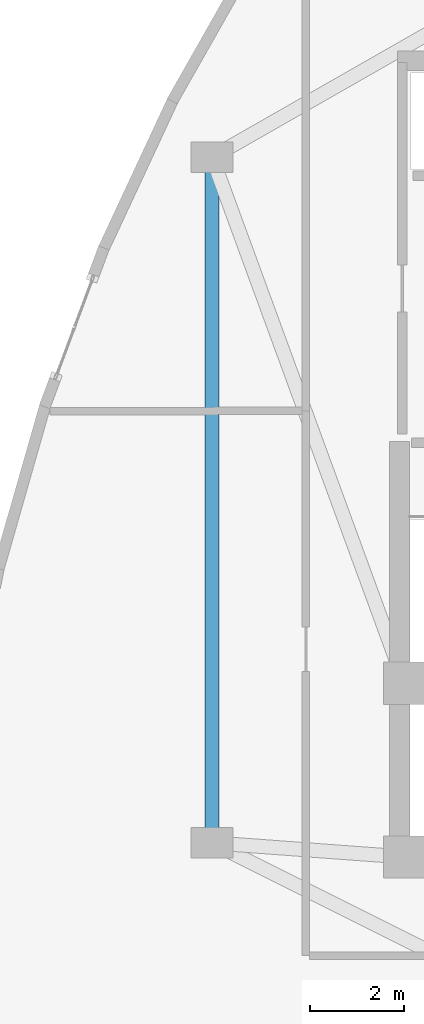
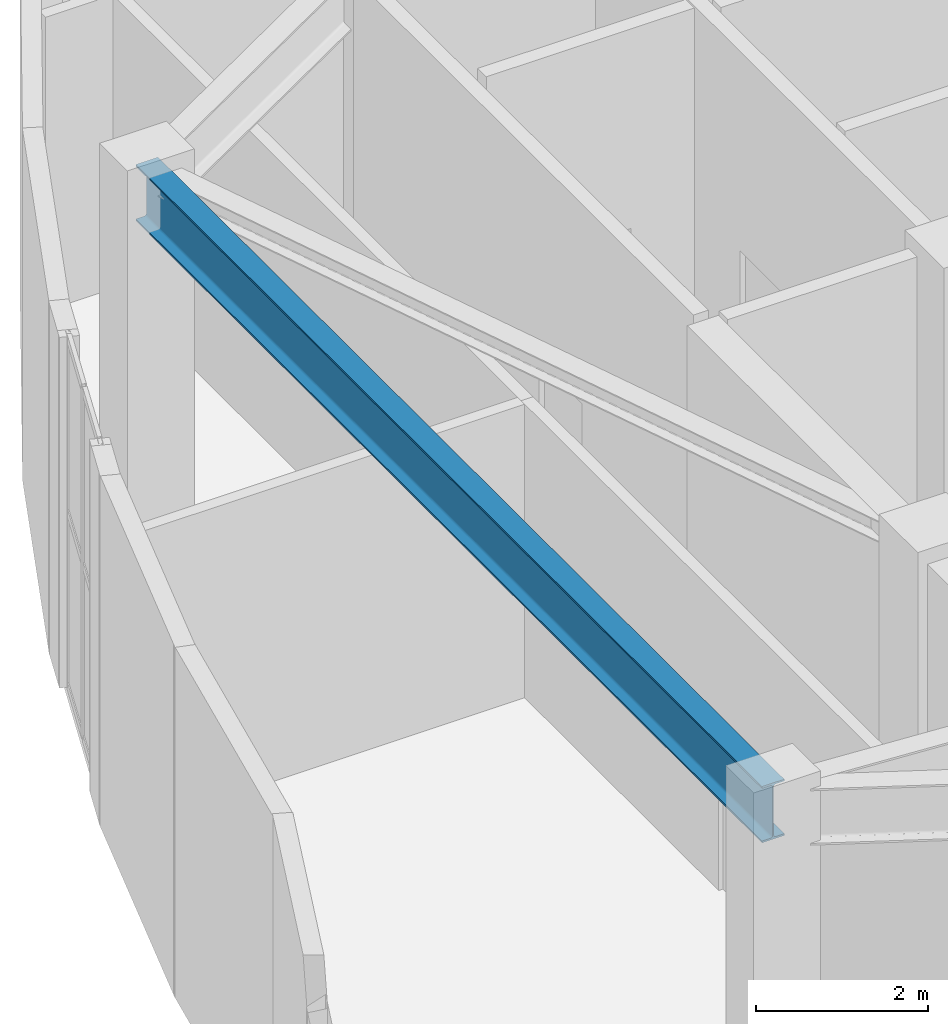
# One storey, part 5 of 12: 1 beam.
"""IFC4 building model written with IfcOpenShell, lengths in metres."""

import ifcopenshell
import ifcopenshell.guid

model = None  # the IFC model being written
_history = None  # IfcOwnerHistory: only IFC2X3 demands one
_inside = {}  # id of a spatial element -> (the spatial element, [elements in it])
_under = {}  # id of a project, library or spatial element -> (it, [spatial elements below it])
_declared = {}  # id of a project -> (the project, [libraries it declares])
_typed = {}  # id of a type object -> (the type object, [elements of that type])
_made_of = {}  # id of a material, layer set ... -> (it, [elements and type objects made of it])


def new_model(schema):
    """Start an empty IFC model of exactly this schema.

    Asked for "IFC4X3", IfcOpenShell would pick the latest addendum, in which some entities
    have other attributes; the version numbers below select the first issue.
    IFC2X3 requires an IfcOwnerHistory on every rooted entity: one is made here for all.
    """
    global model, _history
    if schema == "IFC4X3":
        model = ifcopenshell.file(schema_version=(4, 3, 0, 0))
    else:
        model = ifcopenshell.file(schema=schema)
    _inside.clear()
    _under.clear()
    _declared.clear()
    _typed.clear()
    _made_of.clear()
    _history = None
    if model.schema == "IFC2X3":
        org = make("IfcOrganization", Name="unknown")
        user = make(
            "IfcPersonAndOrganization",
            ThePerson=make("IfcPerson", FamilyName="unknown"),
            TheOrganization=org,
        )
        app = make(
            "IfcApplication",
            ApplicationDeveloper=org,
            Version="unknown",
            ApplicationFullName="unknown",
            ApplicationIdentifier="unknown",
        )
        _history = make(
            "IfcOwnerHistory",
            OwningUser=user,
            OwningApplication=app,
            ChangeAction="ADDED",
            CreationDate=0,
        )
    return model


def make(cls, **values):
    """One entity of the class cls with the attributes given. An attribute that is None is left unset."""
    return model.create_entity(
        cls, **{name: value for name, value in values.items() if value is not None}
    )


def rooted(cls, **values):
    """An entity with a GlobalId (a new one), such as an element, a storey or a relation."""
    return make(cls, GlobalId=ifcopenshell.guid.new(), OwnerHistory=_history, **values)


def si_unit(unit_type, name, prefix=None):
    """IfcSIUnit, for example si_unit("LENGTHUNIT", "METRE", prefix="MILLI")."""
    return make("IfcSIUnit", UnitType=unit_type, Prefix=prefix, Name=name)


def assignment(units):
    """IfcUnitAssignment: the units of a project."""
    return None if units is None else make("IfcUnitAssignment", Units=units)


def point(xyz):
    """IfcCartesianPoint."""
    return None if xyz is None else make("IfcCartesianPoint", Coordinates=xyz)


def direction(xyz):
    """IfcDirection."""
    return None if xyz is None else make("IfcDirection", DirectionRatios=xyz)


def frame(location, z_axis=None, x_axis=None):
    """IfcAxis2Placement3D, a coordinate frame: its origin and axes. An axis left out is left unset."""
    return make(
        "IfcAxis2Placement3D",
        Location=point(location),
        Axis=direction(z_axis),
        RefDirection=direction(x_axis),
    )


def frame_2d(location, x_axis=None):
    """IfcAxis2Placement2D, a coordinate frame in the plane: its origin and x axis."""
    return make(
        "IfcAxis2Placement2D", Location=point(location), RefDirection=direction(x_axis)
    )


def origin():
    """The frame at (0, 0, 0) with its axes left unset."""
    return frame((0.0, 0.0, 0.0))


def origin_2d():
    """The frame at (0, 0) in the plane with its x axis left unset."""
    return frame_2d((0.0, 0.0))


def place(relative_to, where):
    """IfcLocalPlacement: puts the frame where relative to a parent placement (None: the world)."""
    return make(
        "IfcLocalPlacement", PlacementRelTo=relative_to, RelativePlacement=where
    )


def context(
    kind, dimensions, precision=None, world=None, true_north=None, identifier=None
):
    """IfcGeometricRepresentationContext, for example the 3D "Model" context."""
    return make(
        "IfcGeometricRepresentationContext",
        ContextIdentifier=identifier,
        ContextType=kind,
        CoordinateSpaceDimension=dimensions,
        Precision=precision,
        WorldCoordinateSystem=world,
        TrueNorth=true_north,
    )


def subcontext(parent, identifier, kind, view, scale=None):
    """IfcGeometricRepresentationSubContext, for example "Body" below "Model"."""
    return make(
        "IfcGeometricRepresentationSubContext",
        ContextIdentifier=identifier,
        ContextType=kind,
        ParentContext=parent,
        TargetScale=scale,
        TargetView=view,
    )


def project(units=None, contexts=None):
    """IfcProject with its units and contexts."""
    return rooted(
        "IfcProject",
        Name="project",
        RepresentationContexts=contexts,
        UnitsInContext=assignment(units),
    )


def spatial(cls, under=None, at=None, **own):
    """A site, building, storey or space (cls), placed at a placement, below another one or the project."""
    s = rooted(cls, ObjectPlacement=at, **own)
    if under is not None:
        _under.setdefault(under.id(), (under, []))[1].append(s)
    return s


def profile(cls, at=None, kind="AREA", **sizes):
    """A parametric profile (cls). Its sizes go by their IFC names, for example OverallWidth=200.0."""
    return make(cls, ProfileType=kind, Position=at, **sizes)


def i_section(**sizes):
    """IfcIShapeProfileDef."""
    return profile("IfcIShapeProfileDef", **sizes)


def extrude(swept, where, along, depth):
    """IfcExtrudedAreaSolid: the profile swept, set in the frame where, extruded along a direction by depth."""
    return make(
        "IfcExtrudedAreaSolid",
        SweptArea=swept,
        Position=where,
        ExtrudedDirection=direction(along),
        Depth=depth,
    )


def shape(context_of_items, identifier, shape_type, items):
    """IfcShapeRepresentation: the items that make up one representation, for example the "Body"."""
    return make(
        "IfcShapeRepresentation",
        ContextOfItems=context_of_items,
        RepresentationIdentifier=identifier,
        RepresentationType=shape_type,
        Items=items,
    )


def material(Name=None, Category=None):
    """IfcMaterial."""
    return make("IfcMaterial", Name=Name, Category=Category)


def material_profile(
    of_material, cross_section, Name=None, Category=None, Priority=None
):
    """IfcMaterialProfile: a cross section and its material."""
    return make(
        "IfcMaterialProfile",
        Name=Name,
        Material=of_material,
        Profile=cross_section,
        Priority=Priority,
        Category=Category,
    )


def profile_set(profiles, Name=None, composite=None):
    """IfcMaterialProfileSet."""
    return make(
        "IfcMaterialProfileSet",
        Name=Name,
        MaterialProfiles=profiles,
        CompositeProfile=composite,
    )


def made_of(thing, what):
    """Note that an element or type object is made of a material, layer set ...; save() writes the relation."""
    if what is not None:
        _made_of.setdefault(what.id(), (what, []))[1].append(thing)
    return thing


def type_object(cls, material=None, **own):
    """A type object (cls), such as IfcWallType, which elements share."""
    return made_of(rooted(cls, **own), material)


def element(
    cls,
    number,
    at=None,
    inside=None,
    cuts=None,
    type_object=None,
    material=None,
    context=None,
    identifier="Body",
    shape_type=None,
    held_by="IfcProductDefinitionShape",
    body=None,
    shapes=None,
    **own,
):
    """One element of the class cls, such as IfcWall. Its Tag is "e" and its number.

    at: its placement. inside: the storey or other place that contains it. cuts: it is an
    opening in that element (IfcRelVoidsElement). A single representation is given by context,
    identifier, shape_type and body (its items); several are given by shapes. held_by: the class
    of the entity that holds the representations. save() writes the other relations.
    """
    e = rooted(cls, Tag="e%d" % number, ObjectPlacement=at, **own)
    if body is not None:
        shapes = [shape(context, identifier, shape_type, body)]
    if shapes is not None:
        e.Representation = make(held_by, Representations=shapes)
    if inside is not None:
        _inside.setdefault(inside.id(), (inside, []))[1].append(e)
    if cuts is not None:
        rooted(
            "IfcRelVoidsElement", RelatingBuildingElement=cuts, RelatedOpeningElement=e
        )
    if type_object is not None:
        _typed.setdefault(type_object.id(), (type_object, []))[1].append(e)
    return made_of(e, material)


def aggregate(whole, parts):
    """IfcRelAggregates: a whole, such as a stair, and the parts it consists of."""
    return rooted("IfcRelAggregates", RelatingObject=whole, RelatedObjects=parts)


def save(model, path):
    """Write the relations noted so far, then the file.

    IfcRelAggregates (storeys below a building ...), IfcRelContainedInSpatialStructure (elements
    in a storey), IfcRelDefinesByType, IfcRelAssociatesMaterial and IfcRelDeclares: one each for
    every whole, place, type object, material and project.
    """
    for whole, parts in _under.values():
        aggregate(whole, parts)
    for where, things in _inside.values():
        rooted(
            "IfcRelContainedInSpatialStructure",
            RelatedElements=things,
            RelatingStructure=where,
        )
    for kind, things in _typed.values():
        rooted("IfcRelDefinesByType", RelatedObjects=things, RelatingType=kind)
    for what, things in _made_of.values():
        rooted("IfcRelAssociatesMaterial", RelatedObjects=things, RelatingMaterial=what)
    for by, libraries in _declared.values():
        rooted("IfcRelDeclares", RelatingContext=by, RelatedDefinitions=libraries)
    model.write(path)


model = new_model("IFC4")

# Units and contexts
model_context = context("Model", 3, precision=1e-05, world=origin(), true_north=direction((0.0, 1.0)))
body_context = subcontext(model_context, "Body", "Model", "MODEL_VIEW")
ifc_project = project(units=[si_unit("LENGTHUNIT", "METRE"), si_unit("AREAUNIT", "SQUARE_METRE"), si_unit("VOLUMEUNIT", "CUBIC_METRE"), si_unit("PLANEANGLEUNIT", "RADIAN"), si_unit("MASSUNIT", "GRAM", prefix="KILO")], contexts=[model_context])

# Site, building, storey
site_placement = place(None, origin())
site = spatial("IfcSite", under=ifc_project, at=site_placement, CompositionType="ELEMENT")
building_placement = place(site_placement, origin())
building = spatial("IfcBuilding", under=site, at=building_placement, Name="Miruveldt Soraemaru", CompositionType="ELEMENT")
storey_placement = place(building_placement, frame((0.0, 0.0, 312.800048828125)))
storey = spatial("IfcBuildingStorey", under=building, at=storey_placement, Name="L82", CompositionType="ELEMENT", Elevation=312.800048828125)

# Beam
ifc_material = material(Name="Steel S460 (460 MPa)", Category="steel")
ifc_material_profile = material_profile(ifc_material, i_section(OverallWidth=0.300048828125, OverallDepth=0.800048828125, WebThickness=0.013916015625, FlangeThickness=0.02587890625, FilletRadius=0.028076171875, at=origin_2d()), Name="Steel S460 (460 MPa)", Category="steel")
ifc_profile_set = profile_set([ifc_material_profile], Name="Steel S460 (460 MPa)")
beam_type = type_object("IfcBeamType", Name="BM-ST-H800", PredefinedType="BEAM", material=ifc_profile_set)
beam_placement = place(storey_placement, frame((31.39990234375, 35.800048828125, 4.58984375), z_axis=(0.0, 1.0, 0.0), x_axis=(-1.0, 0.0, 0.0)))
element("IfcBeam", 1, at=beam_placement, inside=storey, type_object=beam_type, Name="L82 Inner Ring Girder 5", PredefinedType="BEAM", context=body_context, shape_type="SweptSolid", body=[
    extrude(i_section(OverallWidth=0.300048828125, OverallDepth=0.800048828125, WebThickness=0.013916015625, FlangeThickness=0.02587890625, FilletRadius=0.028076171875, at=origin_2d()), origin(), (0.0, 0.0, 1.0), 14.599853515625),
])

save(model, "model.ifc")
